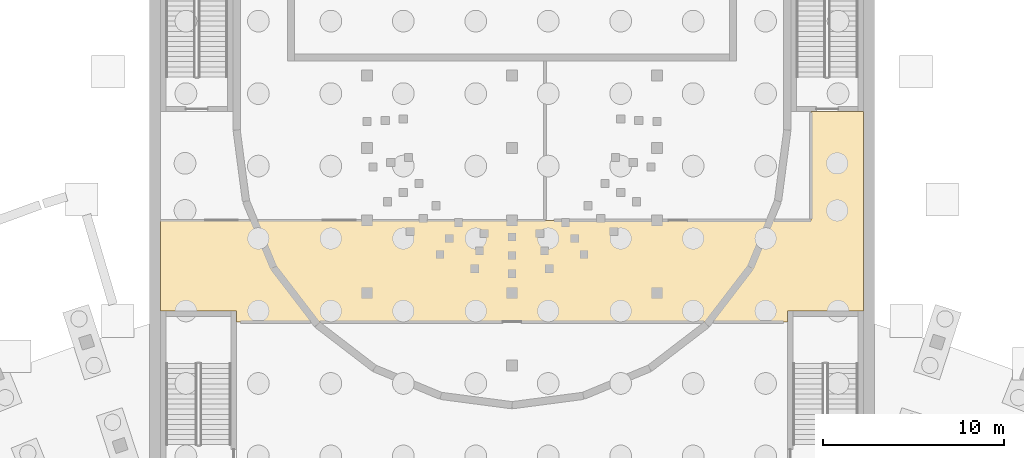
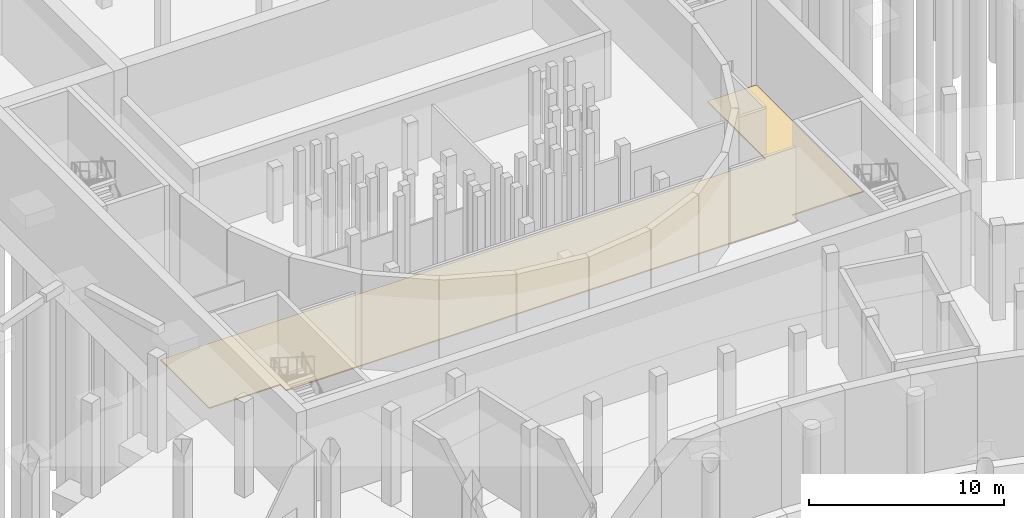
# One storey, part 49 of 66: 1 covering.
"""IFC4 building model written with IfcOpenShell, lengths in metres."""

from ifc_helpers import new_model, si_unit, direction, frame, origin, place, context, subcontext, project, spatial, polyline, outline, extrude, material, layer, layer_set, type_object, element, save


model = new_model("IFC4")

# Units and contexts
model_context = context("Model", 3, precision=1e-05, world=origin(), true_north=direction((0.0, 1.0)))
body_context = subcontext(model_context, "Body", "Model", "MODEL_VIEW")
ifc_project = project(units=[si_unit("LENGTHUNIT", "METRE"), si_unit("AREAUNIT", "SQUARE_METRE"), si_unit("VOLUMEUNIT", "CUBIC_METRE"), si_unit("PLANEANGLEUNIT", "RADIAN"), si_unit("MASSUNIT", "GRAM", prefix="KILO")], contexts=[model_context])

# Site, building, storey
site_placement = place(None, origin())
site = spatial("IfcSite", under=ifc_project, at=site_placement, CompositionType="ELEMENT")
building_placement = place(site_placement, origin())
building = spatial("IfcBuilding", under=site, at=building_placement, Name="Lunette Opera House", CompositionType="ELEMENT")
storey_placement = place(building_placement, frame((0.0, 0.0, -6.0)))
storey = spatial("IfcBuildingStorey", under=building, at=storey_placement, Name="B1", CompositionType="ELEMENT", Elevation=-6.0)

# Covering
ifc_material = material(Name="Cement screed")
ifc_layer = layer(ifc_material, 0.070068359375)
ifc_layer_set = layer_set([ifc_layer], Name="Cement screed")
covering_type = type_object("IfcCoveringType", Name="SCREED FLOOR FINISH 70", PredefinedType="FLOORING", material=ifc_layer_set)
covering_placement = place(storey_placement, origin())
element("IfcCovering", 1, at=covering_placement, inside=storey, type_object=covering_type, Name="Floor finish Service Corridor B1 Auditorium", PredefinedType="FLOORING", context=body_context, shape_type="SweptSolid", body=[
    extrude(outline(polyline([(76.60009765625, 74.0), (76.60009765625, 79.0), (97.830078125, 79.0), (112.4970703125, 79.0), (112.4970703125, 85.0), (115.39990234375, 85.0), (115.39990234375, 74.0), (111.199951171875, 74.0), (111.199951171875, 73.39990234375), (80.800048828125, 73.39990234375), (80.800048828125, 74.0), (76.60009765625, 74.0)])), origin(), (0.0, 0.0, 1.0), 0.070068359375),
])

save(model, "model.ifc")
